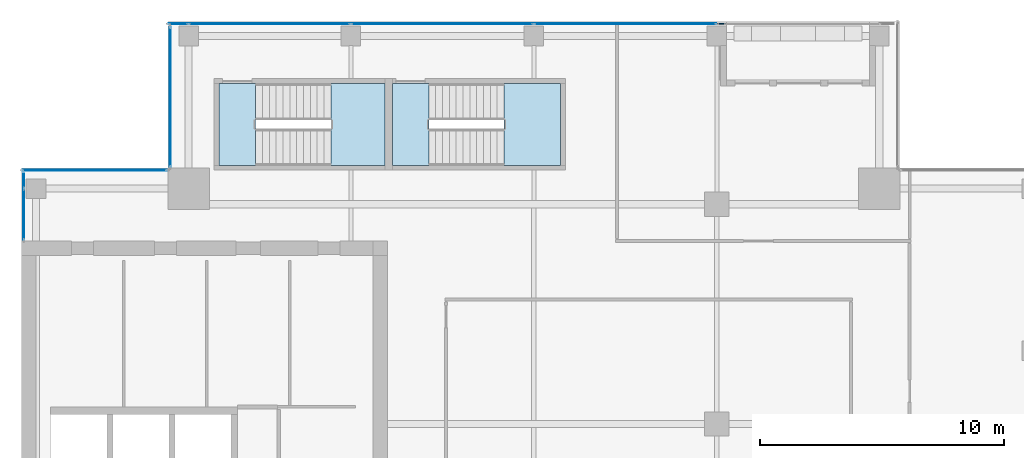
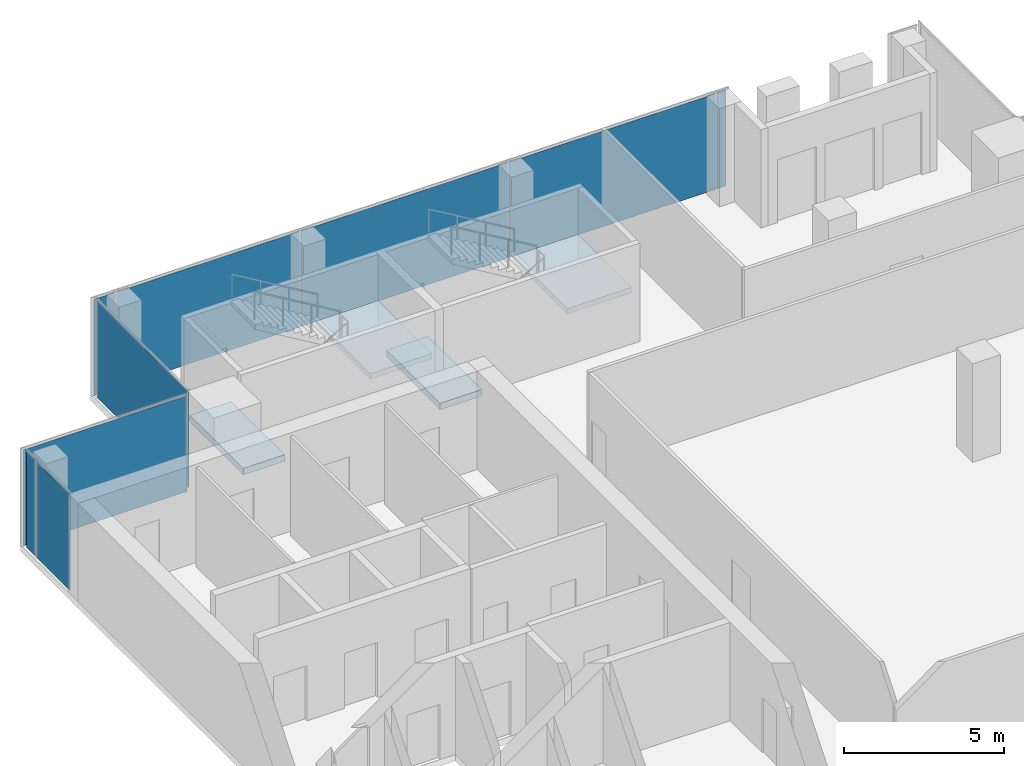
# One storey, part 23 of 29: 9 plates, 4 slabs, 6 elements without a shape of their own.
"""IFC4 building model written with IfcOpenShell, lengths in metres."""

from ifc_helpers import new_model, si_unit, direction, frame, origin, origin_2d, place, context, subcontext, project, spatial, polyline, rectangle, outline, extrude, source, transform, mapped, material, layer, layer_set, type_object, element, aggregate, save


model = new_model("IFC4")

# Units and contexts
model_context = context("Model", 3, precision=1e-05, world=origin(), true_north=direction((0.0, 1.0)))
body_context = subcontext(model_context, "Body", "Model", "MODEL_VIEW")
ifc_project = project(units=[si_unit("LENGTHUNIT", "METRE"), si_unit("AREAUNIT", "SQUARE_METRE"), si_unit("VOLUMEUNIT", "CUBIC_METRE"), si_unit("PLANEANGLEUNIT", "RADIAN"), si_unit("MASSUNIT", "GRAM", prefix="KILO")], contexts=[model_context])

# Site, building, storey
site_placement = place(None, origin())
site = spatial("IfcSite", under=ifc_project, at=site_placement, CompositionType="ELEMENT")
building_placement = place(site_placement, origin())
building = spatial("IfcBuilding", under=site, at=building_placement, Name="Khomas Fold Tower", CompositionType="ELEMENT")
storey_placement = place(building_placement, frame((0.0, 0.0, 326.199951171875)))
storey = spatial("IfcBuildingStorey", under=building, at=storey_placement, Name="L74", CompositionType="ELEMENT", Elevation=326.199951171875)

# Curtain wall, plate
ifc_material_1 = material(Name="Aluminium framed double glazing", Category="aluminium")
curtain_wall_type = type_object("IfcCurtainWallType", Name="SK-Unitised clear-glass wall, upper floors CW3", PredefinedType="NOTDEFINED", material=ifc_material_1)
curtain_wall_1_placement = place(storey_placement, origin())
curtain_wall_1 = element("IfcCurtainWall", 1, at=curtain_wall_1_placement, inside=storey, type_object=curtain_wall_type, Name="CW3 run L74 09-0", PredefinedType="NOTDEFINED")
ifc_material_2 = material(Name="Clear double glazed unit")
ifc_layer_1 = layer(ifc_material_2, 0.028076171875)
ifc_layer_set_1 = layer_set([ifc_layer_1], Name="Clear double glazed unit")
plate_type = type_object("IfcPlateType", Name="SK-Unitised clear-glass wall, upper floors glass panel CW3-P", PredefinedType="CURTAIN_PANEL", material=ifc_layer_set_1)
shared_shape_1 = source(origin(), body_context, "Body", "SweptSolid", [
    extrude(rectangle(XDim=0.574951171875, YDim=0.028076171875, at=origin_2d()), origin(), (0.0, 0.0, 1.0), 3.64990234375),
])
plate_1_placement = place(storey_placement, frame((6.10009765625, 41.46240234375, 0.0), z_axis=(0.0, 0.0, 1.0), x_axis=(0.0, -1.0, 0.0)))
plate_1 = element("IfcPlate", 2, at=plate_1_placement, type_object=plate_type, Name="CW3 glass panel 1", PredefinedType="CURTAIN_PANEL", context=body_context, shape_type="MappedRepresentation", body=[
    mapped(shared_shape_1, transform((0.0, 0.0, 0.0))),
])

# Curtain wall, plates
curtain_wall_2_placement = place(storey_placement, origin())
curtain_wall_2 = element("IfcCurtainWall", 3, at=curtain_wall_2_placement, inside=storey, type_object=curtain_wall_type, Name="CW3 run L74 06-1", PredefinedType="NOTDEFINED")
shared_shape_2 = source(origin(), body_context, "Body", "SweptSolid", [
    extrude(rectangle(XDim=6.60009765625, YDim=0.028076171875, at=origin_2d()), origin(), (0.0, 0.0, 1.0), 3.64990234375),
])
plate_2_placement = place(storey_placement, frame((16.175048828125, 47.89990234375, 0.0), z_axis=(0.0, 0.0, 1.0), x_axis=(-1.0, 0.0, 0.0)))
plate_2 = element("IfcPlate", 4, at=plate_2_placement, type_object=plate_type, Name="CW3 glass panel 4", PredefinedType="CURTAIN_PANEL", context=body_context, shape_type="MappedRepresentation", body=[
    mapped(shared_shape_2, transform((0.0, 0.0, 0.0))),
])
shared_shape_3 = source(origin(), body_context, "Body", "SweptSolid", [
    extrude(rectangle(XDim=7.449951171875, YDim=0.028076171875, at=origin_2d()), origin(), (0.0, 0.0, 1.0), 3.64990234375),
])
plate_3_placement = place(storey_placement, frame((30.75, 47.89990234375, 0.0), z_axis=(0.0, 0.0, 1.0), x_axis=(-1.0, 0.0, 0.0)))
plate_3 = element("IfcPlate", 5, at=plate_3_placement, type_object=plate_type, Name="CW3 glass panel 2", PredefinedType="CURTAIN_PANEL", context=body_context, shape_type="MappedRepresentation", body=[
    mapped(shared_shape_3, transform((0.0, 0.0, 0.0))),
])
plate_4_placement = place(storey_placement, frame((23.25, 47.89990234375, 0.0), z_axis=(0.0, 0.0, 1.0), x_axis=(-1.0, 0.0, 0.0)))
plate_4 = element("IfcPlate", 6, at=plate_4_placement, type_object=plate_type, Name="CW3 glass panel 3", PredefinedType="CURTAIN_PANEL", context=body_context, shape_type="MappedRepresentation", body=[
    mapped(shared_shape_3, transform((0.0, 0.0, 0.0))),
])
shared_shape_4 = source(origin(), body_context, "Body", "SweptSolid", [
    extrude(rectangle(XDim=0.77490234375, YDim=0.028076171875, at=origin_2d()), origin(), (0.0, 0.0, 1.0), 3.64990234375),
])
plate_5_placement = place(storey_placement, frame((12.4375, 47.89990234375, 0.0), z_axis=(0.0, 0.0, 1.0), x_axis=(-1.0, 0.0, 0.0)))
plate_5 = element("IfcPlate", 7, at=plate_5_placement, type_object=plate_type, Name="CW3 glass panel 5", PredefinedType="CURTAIN_PANEL", context=body_context, shape_type="MappedRepresentation", body=[
    mapped(shared_shape_4, transform((0.0, 0.0, 0.0))),
])

# Curtain wall, plate
curtain_wall_3_placement = place(storey_placement, origin())
curtain_wall_3 = element("IfcCurtainWall", 8, at=curtain_wall_3_placement, inside=storey, type_object=curtain_wall_type, Name="CW3 corner return L74 07", PredefinedType="NOTDEFINED")
shared_shape_5 = source(origin(), body_context, "Body", "SweptSolid", [
    extrude(rectangle(XDim=5.699951171875, YDim=0.028076171875, at=origin_2d()), origin(), (0.0, 0.0, 1.0), 3.64990234375),
])
plate_6_placement = place(storey_placement, frame((12.10009765625, 44.89990234375, 0.0), z_axis=(0.0, 0.0, 1.0), x_axis=(0.0, -1.0, 0.0)))
plate_6 = element("IfcPlate", 9, at=plate_6_placement, type_object=plate_type, Name="CW3 glass panel 1", PredefinedType="CURTAIN_PANEL", context=body_context, shape_type="MappedRepresentation", body=[
    mapped(shared_shape_5, transform((0.0, 0.0, 0.0))),
])
aggregate(curtain_wall_3, [plate_6])

curtain_wall_4_placement = place(storey_placement, origin())
curtain_wall_4 = element("IfcCurtainWall", 10, at=curtain_wall_4_placement, inside=storey, type_object=curtain_wall_type, Name="CW3 corner return L74 08", PredefinedType="NOTDEFINED")
shared_shape_6 = source(origin(), body_context, "Body", "SweptSolid", [
    extrude(rectangle(XDim=5.89990234375, YDim=0.028076171875, at=origin_2d()), origin(), (0.0, 0.0, 1.0), 3.64990234375),
])
plate_7_placement = place(storey_placement, frame((9.0, 41.89990234375, 0.0), z_axis=(0.0, 0.0, 1.0), x_axis=(-1.0, 0.0, 0.0)))
plate_7 = element("IfcPlate", 11, at=plate_7_placement, type_object=plate_type, Name="CW3 glass panel 1", PredefinedType="CURTAIN_PANEL", context=body_context, shape_type="MappedRepresentation", body=[
    mapped(shared_shape_6, transform((0.0, 0.0, 0.0))),
])
aggregate(curtain_wall_4, [plate_7])

# Plate
shared_shape_7 = source(origin(), body_context, "Body", "SweptSolid", [
    extrude(rectangle(XDim=0.324951171875, YDim=0.028076171875, at=origin_2d()), origin(), (0.0, 0.0, 1.0), 3.64990234375),
])
plate_8_placement = place(storey_placement, frame((34.6875, 47.89990234375, 0.0), z_axis=(0.0, 0.0, 1.0), x_axis=(-1.0, 0.0, 0.0)))
plate_8 = element("IfcPlate", 12, at=plate_8_placement, type_object=plate_type, Name="CW3 glass panel 1", PredefinedType="CURTAIN_PANEL", context=body_context, shape_type="MappedRepresentation", body=[
    mapped(shared_shape_7, transform((0.0, 0.0, 0.0))),
])

aggregate(curtain_wall_2, [plate_8, plate_3, plate_4, plate_2, plate_5])

shared_shape_8 = source(origin(), body_context, "Body", "SweptSolid", [
    extrude(rectangle(XDim=2.074951171875, YDim=0.028076171875, at=origin_2d()), origin(), (0.0, 0.0, 1.0), 3.64990234375),
])
plate_9_placement = place(storey_placement, frame((6.10009765625, 40.08740234375, 0.0), z_axis=(0.0, 0.0, 1.0), x_axis=(0.0, -1.0, 0.0)))
plate_9 = element("IfcPlate", 13, at=plate_9_placement, type_object=plate_type, Name="CW3 glass panel 2", PredefinedType="CURTAIN_PANEL", context=body_context, shape_type="MappedRepresentation", body=[
    mapped(shared_shape_8, transform((0.0, 0.0, 0.0))),
])

aggregate(curtain_wall_1, [plate_1, plate_9])

# Stair, slab
ifc_material_3 = material(Name="Concrete C40/50", Category="concrete")
stair_type_1 = type_object("IfcStairType", Name="Stair ST1", PredefinedType="HALF_TURN_STAIR", material=ifc_material_3)
stair_1_placement = place(storey_placement, origin())
stair_1 = element("IfcStair", 14, at=stair_1_placement, inside=storey, type_object=stair_type_1, Name="L74 ST1", PredefinedType="HALF_TURN_STAIR")
ifc_material_4 = material(Name="Concrete C40/50", Category="concrete")
ifc_layer_2 = layer(ifc_material_4, 0.199951171875)
ifc_layer_set_2 = layer_set([ifc_layer_2], Name="Concrete C40/50")
slab_type_1 = type_object("IfcSlabType", Name="Stair landing 200", PredefinedType="LANDING", material=ifc_layer_set_2)
shared_shape_9 = source(origin(), body_context, "Body", "SweptSolid", [
    extrude(outline(polyline([(18.679931640625, 42.10009765625), (20.89990234375, 42.10009765625), (20.89990234375, 45.449951171875), (18.679931640625, 45.449951171875), (18.679931640625, 42.10009765625)])), origin(), (0.0, 0.0, 1.0), 0.199951171875),
])
slab_1_placement = place(storey_placement, frame((0.0, 0.0, 1.800048828125)))
slab_1 = element("IfcSlab", 15, at=slab_1_placement, type_object=slab_type_1, Name="ST1 landing 1", PredefinedType="LANDING", context=body_context, shape_type="MappedRepresentation", body=[
    mapped(shared_shape_9, transform((0.0, 0.0, 0.0))),
])
aggregate(stair_1, [slab_1])

# Slab
ifc_material_5 = material(Name="Concrete C40/50", Category="concrete")
ifc_layer_3 = layer(ifc_material_5, 0.25)
ifc_layer_set_3 = layer_set([ifc_layer_3], Name="Concrete C40/50")
slab_type_2 = type_object("IfcSlabType", Name="Stair floor landing 250", PredefinedType="LANDING", material=ifc_layer_set_3)
shared_shape_10 = source(origin(), body_context, "Body", "SweptSolid", [
    extrude(outline(polyline([(15.60009765625, 42.10009765625), (14.10009765625, 42.10009765625), (14.10009765625, 45.449951171875), (15.60009765625, 45.449951171875), (15.60009765625, 42.10009765625)])), origin(), (0.0, 0.0, 1.0), 0.25),
])
slab_2_placement = place(storey_placement, frame((0.0, 0.0, -0.25)))
element("IfcSlab", 16, at=slab_2_placement, inside=storey, type_object=slab_type_2, Name="ST1 floor landing", PredefinedType="LANDING", context=body_context, shape_type="MappedRepresentation", body=[
    mapped(shared_shape_10, transform((0.0, 0.0, 0.0))),
])

# Stair, slab
ifc_material_6 = material(Name="Concrete C40/50", Category="concrete")
stair_type_2 = type_object("IfcStairType", Name="Stair ST3", PredefinedType="HALF_TURN_STAIR", material=ifc_material_6)
stair_2_placement = place(storey_placement, origin())
stair_2 = element("IfcStair", 17, at=stair_2_placement, inside=storey, type_object=stair_type_2, Name="L74 ST3", PredefinedType="HALF_TURN_STAIR")
shared_shape_11 = source(origin(), body_context, "Body", "SweptSolid", [
    extrude(outline(polyline([(25.780029296875, 42.10009765625), (28.10009765625, 42.10009765625), (28.10009765625, 45.449951171875), (25.780029296875, 45.449951171875), (25.780029296875, 42.10009765625)])), origin(), (0.0, 0.0, 1.0), 0.199951171875),
])
slab_3_placement = place(storey_placement, frame((0.0, 0.0, 1.800048828125)))
slab_3 = element("IfcSlab", 18, at=slab_3_placement, type_object=slab_type_1, Name="ST3 landing 1", PredefinedType="LANDING", context=body_context, shape_type="MappedRepresentation", body=[
    mapped(shared_shape_11, transform((0.0, 0.0, 0.0))),
])
aggregate(stair_2, [slab_3])

# Slab
shared_shape_12 = source(origin(), body_context, "Body", "SweptSolid", [
    extrude(outline(polyline([(22.699951171875, 42.10009765625), (21.199951171875, 42.10009765625), (21.199951171875, 45.449951171875), (22.699951171875, 45.449951171875), (22.699951171875, 42.10009765625)])), origin(), (0.0, 0.0, 1.0), 0.25),
])
slab_4_placement = place(storey_placement, frame((0.0, 0.0, -0.25)))
element("IfcSlab", 19, at=slab_4_placement, inside=storey, type_object=slab_type_2, Name="ST3 floor landing", PredefinedType="LANDING", context=body_context, shape_type="MappedRepresentation", body=[
    mapped(shared_shape_12, transform((0.0, 0.0, 0.0))),
])

save(model, "model.ifc")
